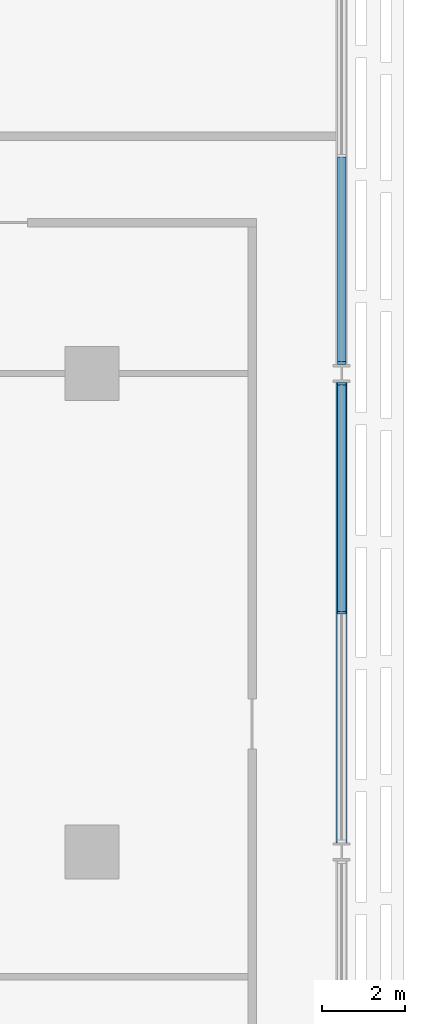
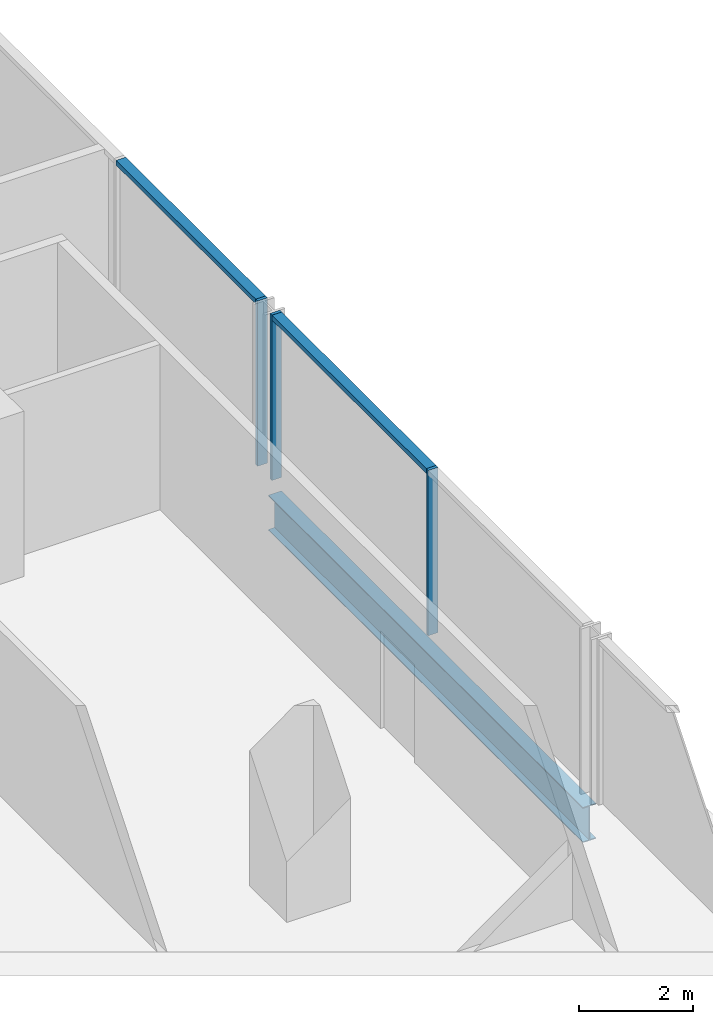
# One storey, part 9 of 29: 5 members, 1 beam, 2 elements without a shape of their own.
"""IFC4 building model written with IfcOpenShell, lengths in metres."""

from ifc_helpers import new_model, si_unit, direction, frame, origin, origin_2d, place, context, subcontext, project, spatial, rectangle, i_section, extrude, material, material_profile, profile_set, type_object, element, aggregate, save


model = new_model("IFC4")

# Units and contexts
model_context = context("Model", 3, precision=1e-05, world=origin(), true_north=direction((0.0, 1.0)))
body_context = subcontext(model_context, "Body", "Model", "MODEL_VIEW")
ifc_project = project(units=[si_unit("LENGTHUNIT", "METRE"), si_unit("AREAUNIT", "SQUARE_METRE"), si_unit("VOLUMEUNIT", "CUBIC_METRE"), si_unit("PLANEANGLEUNIT", "RADIAN"), si_unit("MASSUNIT", "GRAM", prefix="KILO")], contexts=[model_context])

# Site, building, storey
site_placement = place(None, origin())
site = spatial("IfcSite", under=ifc_project, at=site_placement, CompositionType="ELEMENT")
building_placement = place(site_placement, origin())
building = spatial("IfcBuilding", under=site, at=building_placement, Name="Mahtab Terrace Research Tower", CompositionType="ELEMENT")
storey_placement = place(building_placement, frame((0.0, 0.0, 150.699951171875)))
storey = spatial("IfcBuildingStorey", under=building, at=storey_placement, Name="L35", CompositionType="ELEMENT", Elevation=150.699951171875)

# Curtain wall, members
ifc_material_1 = material(Name="Laboratory ribbon curtain wall")
curtain_wall_type = type_object("IfcCurtainWallType", Name="Laboratory ribbon curtain wall", PredefinedType="NOTDEFINED", material=ifc_material_1)
curtain_wall_1_placement = place(storey_placement, origin())
curtain_wall_1 = element("IfcCurtainWall", 1, at=curtain_wall_1_placement, inside=storey, type_object=curtain_wall_type, Name="EN.L35.18.37", PredefinedType="NOTDEFINED")
ifc_material_2 = material(Name="Natural anodised aluminium", Category="aluminium")
ifc_material_profile_1 = material_profile(ifc_material_2, rectangle(XDim=0.199951171875, YDim=0.06494140625, at=origin_2d()), Name="MULLION 65x200")
ifc_profile_set_1 = profile_set([ifc_material_profile_1], Name="Natural anodised aluminium")
member_type_1 = type_object("IfcMemberType", Name="Laboratory ribbon curtain wall mullion", PredefinedType="MULLION", material=ifc_profile_set_1)
member_1_placement = place(storey_placement, frame((48.0, 5.75, 0.0), z_axis=(0.0, 0.0, 1.0), x_axis=(-1.0, 0.0, 0.0)))
member_1 = element("IfcMember", 2, at=member_1_placement, type_object=member_type_1, Name="CWL-4 mullion 2", PredefinedType="MULLION", context=body_context, shape_type="SweptSolid", body=[
    extrude(rectangle(XDim=0.199951171875, YDim=0.06494140625, at=origin_2d()), origin(), (0.0, 0.0, 1.0), 3.550048828125),
])
member_2_placement = place(storey_placement, frame((48.0, 11.24951171875, 0.0), z_axis=(0.0, 0.0, 1.0), x_axis=(-1.0, 0.0, 0.0)))
member_2 = element("IfcMember", 3, at=member_2_placement, type_object=member_type_1, Name="CWL-4 mullion 3", PredefinedType="MULLION", context=body_context, shape_type="SweptSolid", body=[
    extrude(rectangle(XDim=0.199951171875, YDim=0.06494140625, at=origin_2d()), origin(), (0.0, 0.0, 1.0), 3.550048828125),
])

# Curtain wall, member
curtain_wall_2_placement = place(storey_placement, origin())
curtain_wall_2 = element("IfcCurtainWall", 4, at=curtain_wall_2_placement, inside=storey, type_object=curtain_wall_type, Name="EN.L35.18.38", PredefinedType="NOTDEFINED")
member_3_placement = place(storey_placement, frame((48.0, 11.75048828125, 0.0), z_axis=(0.0, 0.0, 1.0), x_axis=(-1.0, 0.0, 0.0)))
member_3 = element("IfcMember", 5, at=member_3_placement, type_object=member_type_1, Name="CWL-4 mullion 1", PredefinedType="MULLION", context=body_context, shape_type="SweptSolid", body=[
    extrude(rectangle(XDim=0.199951171875, YDim=0.06494140625, at=origin_2d()), origin(), (0.0, 0.0, 1.0), 3.550048828125),
])

# Member
ifc_material_profile_2 = material_profile(ifc_material_2, rectangle(XDim=0.199951171875, YDim=0.10009765625, at=origin_2d()), Name="TRANSOM 100x200")
ifc_profile_set_2 = profile_set([ifc_material_profile_2], Name="Natural anodised aluminium")
member_type_2 = type_object("IfcMemberType", Name="Laboratory ribbon curtain wall transom", PredefinedType="USERDEFINED", material=ifc_profile_set_2)
member_4_placement = place(storey_placement, frame((48.0, 5.782470703125, 3.5), z_axis=(0.0, 1.0, 0.0), x_axis=(-1.0, 0.0, 0.0)))
member_4 = element("IfcMember", 6, at=member_4_placement, type_object=member_type_2, Name="CWL-4 transom 2", ObjectType="TRANSOM", PredefinedType="USERDEFINED", context=body_context, shape_type="SweptSolid", body=[
    extrude(rectangle(XDim=0.199951171875, YDim=0.10009765625, at=origin_2d()), origin(), (0.0, 0.0, 1.0), 5.4345703125),
])

aggregate(curtain_wall_1, [member_1, member_2, member_4])

member_5_placement = place(storey_placement, frame((48.0, 11.782958984375, 3.5), z_axis=(0.0, 1.0, 0.0), x_axis=(-1.0, 0.0, 0.0)))
member_5 = element("IfcMember", 7, at=member_5_placement, type_object=member_type_2, Name="CWL-4 transom 1", ObjectType="TRANSOM", PredefinedType="USERDEFINED", context=body_context, shape_type="SweptSolid", body=[
    extrude(rectangle(XDim=0.199951171875, YDim=0.10009765625, at=origin_2d()), origin(), (0.0, 0.0, 1.0), 4.91552734375),
])

aggregate(curtain_wall_2, [member_3, member_5])

# Beam
ifc_material_3 = material(Name="Steel ASTM A992 Gr 50", Category="steel")
ifc_material_profile_3 = material_profile(ifc_material_3, i_section(OverallWidth=0.2666015625, OverallDepth=0.7568359375, WebThickness=0.013916015625, FlangeThickness=0.019287109375, at=origin_2d()), Name="W30X108")
ifc_profile_set_3 = profile_set([ifc_material_profile_3], Name="Steel ASTM A992 Gr 50")
beam_type = type_object("IfcBeamType", Name="W30x108 beam BS30108", PredefinedType="BEAM", material=ifc_profile_set_3)
beam_placement = place(storey_placement, frame((48.0, 0.217041015625, -0.718505859375), z_axis=(0.0, 1.0, 0.0), x_axis=(-1.0, 0.0, 0.0)))
element("IfcBeam", 8, at=beam_placement, inside=storey, type_object=beam_type, Name="Spandrel beam L35 23", PredefinedType="BEAM", context=body_context, shape_type="SweptSolid", body=[
    extrude(i_section(OverallWidth=0.2666015625, OverallDepth=0.7568359375, WebThickness=0.013916015625, FlangeThickness=0.019287109375, at=origin_2d()), origin(), (0.0, 0.0, 1.0), 11.06591796875),
])

save(model, "model.ifc")
